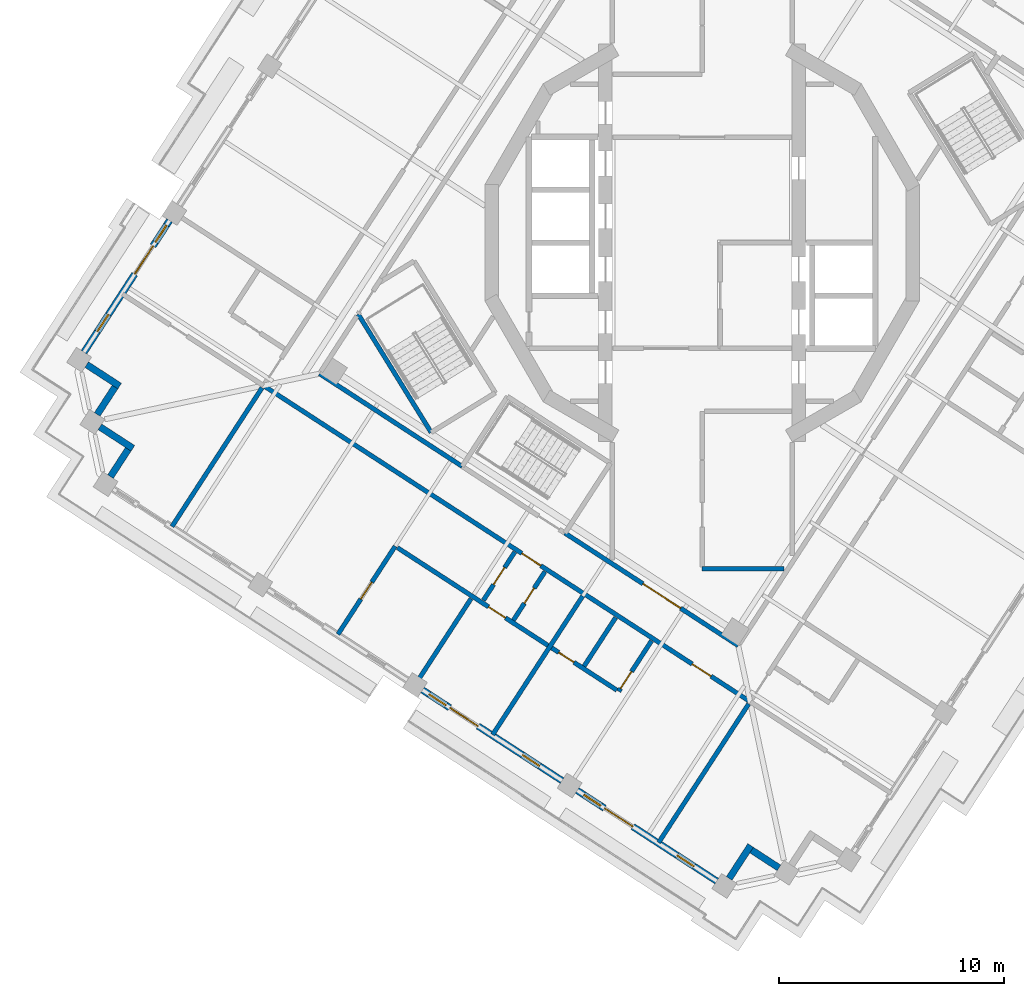
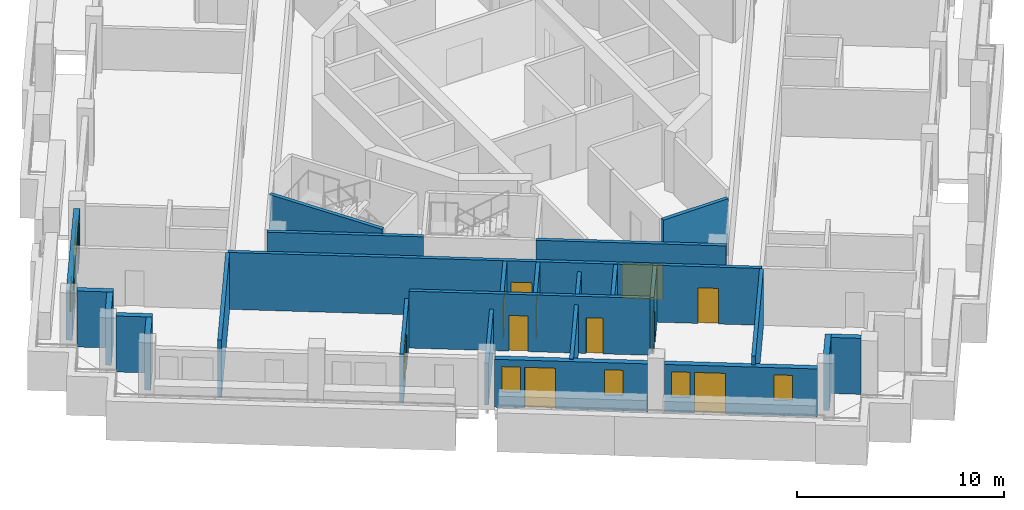
# One storey, part 4 of 15: 24 walls, 12 doors, 6 windows, 18 openings.
"""IFC4 building model written with IfcOpenShell, lengths in metres."""

from ifc_helpers import new_model, si_unit, direction, frame, frame_2d, origin, place, context, subcontext, project, spatial, rectangle, extrude, material, layer, layer_set, type_object, element, fill, save


model = new_model("IFC4")

# Units and contexts
model_context = context("Model", 3, precision=1e-05, world=origin(), true_north=direction((0.0, 1.0)))
body_context = subcontext(model_context, "Body", "Model", "MODEL_VIEW")
ifc_project = project(units=[si_unit("LENGTHUNIT", "METRE"), si_unit("AREAUNIT", "SQUARE_METRE"), si_unit("VOLUMEUNIT", "CUBIC_METRE"), si_unit("PLANEANGLEUNIT", "RADIAN"), si_unit("MASSUNIT", "GRAM", prefix="KILO")], contexts=[model_context])

# Site, building, storey
site_placement = place(None, origin())
site = spatial("IfcSite", under=ifc_project, at=site_placement, CompositionType="ELEMENT")
building_placement = place(site_placement, origin())
building = spatial("IfcBuilding", under=site, at=building_placement, Name="Cantera Rosa Tower", CompositionType="ELEMENT")
storey_placement = place(building_placement, frame((0.0, 0.0, 272.10009765625)))
storey = spatial("IfcBuildingStorey", under=building, at=storey_placement, Name="L61", CompositionType="ELEMENT", Elevation=272.10009765625)

# Wall, openings, doors
ifc_material_1 = material(Name="Gypsum board partition")
ifc_layer_1 = layer(ifc_material_1, 0.199951171875)
ifc_layer_set_1 = layer_set([ifc_layer_1], Name="CORRIDOR WALL 200 H3350")
wall_type_1 = type_object("IfcWallType", Name="CORRIDOR WALL 200 H3350", PredefinedType="PARTITIONING", material=ifc_layer_set_1)
wall_1_placement = place(storey_placement, frame((-19.489013671875, -6.36181640625, 0.0), z_axis=(0.0, 0.0, 1.0), x_axis=(0.838670079337, -0.544639787405, 0.0)))
wall_1 = element("IfcWall", 1, at=wall_1_placement, inside=storey, type_object=wall_type_1, Name="CORRIDOR WALL L61-004", PredefinedType="PARTITIONING", context=body_context, shape_type="SweptSolid", body=[
    extrude(rectangle(XDim=25.780029296875, YDim=0.199951171875, at=frame_2d((12.89013671875, 0.0))), origin(), (0.0, 0.0, 1.0), 3.349853515625),
])
opening_1_placement = place(wall_1_placement, frame((13.679931640625, 0.0, 0.0)))
opening_1 = element("IfcOpeningElement", 2, at=opening_1_placement, cuts=wall_1, Name="Opening L61-032", PredefinedType="OPENING", context=body_context, shape_type="SweptSolid", body=[
    extrude(rectangle(XDim=1.0, YDim=2.10009765625, at=frame_2d((0.5, 1.050048828125))), frame((0.0, 0.10986328125, 0.0), z_axis=(0.0, -1.0, 0.0), x_axis=(1.0, 0.0, 0.0)), (0.0, 0.0, 1.0), 0.219970703125),
])
opening_2_placement = place(wall_1_placement, frame((22.705078125, 0.0, 0.0)))
opening_2 = element("IfcOpeningElement", 3, at=opening_2_placement, cuts=wall_1, Name="Opening L61-037", PredefinedType="OPENING", context=body_context, shape_type="SweptSolid", body=[
    extrude(rectangle(XDim=1.0, YDim=2.10009765625, at=frame_2d((0.5, 1.050048828125))), frame((0.0, 0.10986328125, 0.0), z_axis=(0.0, -1.0, 0.0), x_axis=(1.0, 0.0, 0.0)), (0.0, 0.0, 1.0), 0.219970703125),
])
ifc_material_2 = material(Name="Timber door leaf", Category="wood")
door_type_1 = type_object("IfcDoorType", Name="ENTRANCE DOOR 1000x2100", OperationType="NOTDEFINED", PredefinedType="DOOR", material=ifc_material_2)
door_1_placement = place(opening_1_placement, origin())
door_1 = element("IfcDoor", 4, at=door_1_placement, inside=storey, type_object=door_type_1, Name="DOOR L61-032", OperationType="NOTDEFINED", OverallHeight=2.10009765625, OverallWidth=1.0, PredefinedType="DOOR", context=body_context, shape_type="SweptSolid", body=[
    extrude(rectangle(XDim=1.0, YDim=2.10009765625, at=frame_2d((0.5, 1.050048828125))), frame((0.0, 0.02490234375, 0.0), z_axis=(0.0, -1.0, 0.0), x_axis=(1.0, 0.0, 0.0)), (0.0, 0.0, 1.0), 0.050048828125),
])
fill(opening_1, door_1)
door_2_placement = place(opening_2_placement, origin())
door_2 = element("IfcDoor", 5, at=door_2_placement, inside=storey, type_object=door_type_1, Name="DOOR L61-037", OperationType="NOTDEFINED", OverallHeight=2.10009765625, OverallWidth=1.0, PredefinedType="DOOR", context=body_context, shape_type="SweptSolid", body=[
    extrude(rectangle(XDim=1.0, YDim=2.10009765625, at=frame_2d((0.5, 1.050048828125))), frame((0.0, 0.02490234375, 0.0), z_axis=(0.0, -1.0, 0.0), x_axis=(1.0, 0.0, 0.0)), (0.0, 0.0, 1.0), 0.050048828125),
])
fill(opening_2, door_2)

# Wall
wall_2_placement = place(storey_placement, frame((-17.015869140625, -5.82177734375, 0.0), z_axis=(0.0, 0.0, 1.0), x_axis=(0.838672854678, -0.544635513739, 0.0)))
element("IfcWall", 6, at=wall_2_placement, inside=storey, type_object=wall_type_1, Name="CORRIDOR WALL L61-007", PredefinedType="PARTITIONING", context=body_context, shape_type="SweptSolid", body=[
    extrude(rectangle(XDim=7.56494140625, YDim=0.199951171875, at=frame_2d((3.782470703125, 0.0))), origin(), (0.0, 0.0, 1.0), 3.349853515625),
])

# Wall, opening, door
wall_3_placement = place(storey_placement, frame((-6.1005859375, -12.91015625, 0.0), z_axis=(0.0, 0.0, 1.0), x_axis=(0.838671883824, -0.544637008734, 0.0)))
wall_3 = element("IfcWall", 7, at=wall_3_placement, inside=storey, type_object=wall_type_1, Name="CORRIDOR WALL L61-034", PredefinedType="PARTITIONING", context=body_context, shape_type="SweptSolid", body=[
    extrude(rectangle(XDim=9.184814453125, YDim=0.199951171875, at=frame_2d((4.59228515625, 0.0))), origin(), (0.0, 0.0, 1.0), 3.349853515625),
])
opening_3_placement = place(wall_3_placement, frame((4.135009765625, 0.0, 0.0)))
opening_3 = element("IfcOpeningElement", 8, at=opening_3_placement, cuts=wall_3, Name="Opening L61-010", PredefinedType="OPENING", context=body_context, shape_type="SweptSolid", body=[
    extrude(rectangle(XDim=2.0, YDim=2.10009765625, at=frame_2d((1.0, 1.050048828125))), frame((0.0, 0.10986328125, 0.0), z_axis=(0.0, -1.0, 0.0), x_axis=(1.0, 0.0, 0.0)), (0.0, 0.0, 1.0), 0.219970703125),
])
ifc_material_3 = material(Name="Steel S355J2 (EN 10025-2)", Category="steel")
door_type_2 = type_object("IfcDoorType", Name="LOBBY SCREEN DOOR 2000x2100", OperationType="NOTDEFINED", PredefinedType="DOOR", material=ifc_material_3)
door_3_placement = place(opening_3_placement, origin())
door_3 = element("IfcDoor", 9, at=door_3_placement, inside=storey, type_object=door_type_2, Name="DOOR L61-010", OperationType="NOTDEFINED", OverallHeight=2.10009765625, OverallWidth=2.0, PredefinedType="DOOR", context=body_context, shape_type="SweptSolid", body=[
    extrude(rectangle(XDim=2.0, YDim=2.10009765625, at=frame_2d((1.0, 1.050048828125))), frame((0.0, 0.02490234375, 0.0), z_axis=(0.0, -1.0, 0.0), x_axis=(1.0, 0.0, 0.0)), (0.0, 0.0, 1.0), 0.050048828125),
])
fill(opening_3, door_3)

# Walls
wall_4_placement = place(storey_placement, frame((0.0, -14.5, 0.0), z_axis=(0.0, 0.0, 1.0), x_axis=(1.0, 0.0, 0.0)))
element("IfcWall", 10, at=wall_4_placement, inside=storey, type_object=wall_type_1, Name="CORRIDOR WALL L61-054", PredefinedType="PARTITIONING", context=body_context, shape_type="SweptSolid", body=[
    extrude(rectangle(XDim=3.638916015625, YDim=0.199951171875, at=frame_2d((1.8193359375, 0.0))), origin(), (0.0, 0.0, 1.0), 3.349853515625),
])
ifc_material_4 = material(Name="Hollow clay masonry with cantera stone cladding", Category="masonry")
ifc_layer_2 = layer(ifc_material_4, 0.300048828125)
ifc_layer_set_2 = layer_set([ifc_layer_2], Name="EW-LOGGIA 300")
wall_type_2 = type_object("IfcWallType", Name="EW-LOGGIA 300", PredefinedType="SOLIDWALL", material=ifc_layer_set_2)
wall_5_placement = place(storey_placement, frame((-27.36669921875, -5.41943359375, 0.0), z_axis=(0.0, 0.0, 1.0), x_axis=(0.838685761837, -0.54461563776, 0.0)))
element("IfcWall", 11, at=wall_5_placement, inside=storey, type_object=wall_type_2, Name="EN-L61-W12a", PredefinedType="SOLIDWALL", context=body_context, shape_type="SweptSolid", body=[
    extrude(rectangle(XDim=1.75, YDim=0.300048828125, at=frame_2d((0.875, 0.0))), origin(), (0.0, 0.0, 1.0), 3.2998046875),
])
wall_6_placement = place(storey_placement, frame((-26.1064453125, -6.41650390625, 0.0), z_axis=(0.0, 0.0, 1.0), x_axis=(-0.54467465438, -0.838647435384, 0.0)))
element("IfcWall", 12, at=wall_6_placement, inside=storey, type_object=wall_type_2, Name="EN-L61-W12b", PredefinedType="SOLIDWALL", context=body_context, shape_type="SweptSolid", body=[
    extrude(rectangle(XDim=1.449951171875, YDim=0.300048828125, at=frame_2d((0.72509765625, 0.0))), origin(), (0.0, 0.0, 1.0), 3.2998046875),
])
wall_7_placement = place(storey_placement, frame((-26.778564453125, -8.18603515625, 0.0), z_axis=(0.0, 0.0, 1.0), x_axis=(0.838685761837, -0.54461563776, 0.0)))
element("IfcWall", 13, at=wall_7_placement, inside=storey, type_object=wall_type_2, Name="EN-L61-W13a", PredefinedType="SOLIDWALL", context=body_context, shape_type="SweptSolid", body=[
    extrude(rectangle(XDim=1.75, YDim=0.300048828125, at=frame_2d((0.875, 0.0))), origin(), (0.0, 0.0, 1.0), 3.2998046875),
])
wall_8_placement = place(storey_placement, frame((-25.518310546875, -9.18310546875, 0.0), z_axis=(0.0, 0.0, 1.0), x_axis=(-0.54467465438, -0.838647435384, 0.0)))
element("IfcWall", 14, at=wall_8_placement, inside=storey, type_object=wall_type_2, Name="EN-L61-W13b", PredefinedType="SOLIDWALL", context=body_context, shape_type="SweptSolid", body=[
    extrude(rectangle(XDim=1.449951171875, YDim=0.300048828125, at=frame_2d((0.72509765625, 0.0))), origin(), (0.0, 0.0, 1.0), 3.2998046875),
])
wall_9_placement = place(storey_placement, frame((1.2001953125, -28.263427734375, 0.0), z_axis=(0.0, 0.0, 1.0), x_axis=(0.54461563776, 0.838685761837, 0.0)))
element("IfcWall", 15, at=wall_9_placement, inside=storey, type_object=wall_type_2, Name="EN-L61-W18a", PredefinedType="SOLIDWALL", context=body_context, shape_type="SweptSolid", body=[
    extrude(rectangle(XDim=1.75, YDim=0.300048828125, at=frame_2d((0.875, 0.0))), origin(), (0.0, 0.0, 1.0), 3.2998046875),
])
wall_10_placement = place(storey_placement, frame((2.197509765625, -27.003173828125, 0.0), z_axis=(0.0, 0.0, 1.0), x_axis=(0.838647435384, -0.54467465438, 0.0)))
element("IfcWall", 16, at=wall_10_placement, inside=storey, type_object=wall_type_2, Name="EN-L61-W18b", PredefinedType="SOLIDWALL", context=body_context, shape_type="SweptSolid", body=[
    extrude(rectangle(XDim=1.449951171875, YDim=0.300048828125, at=frame_2d((0.72509765625, 0.0))), origin(), (0.0, 0.0, 1.0), 3.2998046875),
])

# Wall, openings, windows, door
ifc_material_5 = material(Name="Hollow clay masonry with cantera stone cladding", Category="masonry")
ifc_layer_3 = layer(ifc_material_5, 0.300048828125)
ifc_layer_set_3 = layer_set([ifc_layer_3], Name="EW-LOGGIA 300 H2820")
wall_type_3 = type_object("IfcWallType", Name="EW-LOGGIA 300 H2820", PredefinedType="SOLIDWALL", material=ifc_layer_set_3)
wall_11_placement = place(storey_placement, frame((-12.436279296875, -19.884765625, 0.0), z_axis=(0.0, 0.0, 1.0), x_axis=(0.838669679097, -0.544640403719, 0.0)))
wall_11 = element("IfcWall", 17, at=wall_11_placement, inside=storey, type_object=wall_type_3, Name="EN-L61-W16", PredefinedType="SOLIDWALL", context=body_context, shape_type="SweptSolid", body=[
    extrude(rectangle(XDim=7.39990234375, YDim=0.300048828125, at=frame_2d((3.699951171875, 0.0))), origin(), (0.0, 0.0, 1.0), 2.81982421875),
])
opening_4_placement = place(wall_11_placement, frame((0.35009765625, 0.0, 0.89990234375)))
opening_4 = element("IfcOpeningElement", 18, at=opening_4_placement, cuts=wall_11, Name="Opening L61-W28", PredefinedType="OPENING", context=body_context, shape_type="SweptSolid", body=[
    extrude(rectangle(XDim=0.89990234375, YDim=1.5, at=frame_2d((0.449951171875, 0.75))), frame((0.0, 0.159912109375, 0.0), z_axis=(0.0, -1.0, 0.0), x_axis=(1.0, 0.0, 0.0)), (0.0, 0.0, 1.0), 0.320068359375),
])
opening_5_placement = place(wall_11_placement, frame((1.449951171875, 0.0, 0.0)))
opening_5 = element("IfcOpeningElement", 19, at=opening_5_placement, cuts=wall_11, Name="Opening L61-TD29", PredefinedType="OPENING", context=body_context, shape_type="SweptSolid", body=[
    extrude(rectangle(XDim=1.5, YDim=2.39990234375, at=frame_2d((0.75, 1.199951171875))), frame((0.0, 0.159912109375, 0.0), z_axis=(0.0, -1.0, 0.0), x_axis=(1.0, 0.0, 0.0)), (0.0, 0.0, 1.0), 0.320068359375),
])
opening_6_placement = place(wall_11_placement, frame((5.300048828125, 0.0, 0.89990234375)))
opening_6 = element("IfcOpeningElement", 20, at=opening_6_placement, cuts=wall_11, Name="Opening L61-W30", PredefinedType="OPENING", context=body_context, shape_type="SweptSolid", body=[
    extrude(rectangle(XDim=0.89990234375, YDim=1.5, at=frame_2d((0.449951171875, 0.75))), frame((0.0, 0.159912109375, 0.0), z_axis=(0.0, -1.0, 0.0), x_axis=(1.0, 0.0, 0.0)), (0.0, 0.0, 1.0), 0.320068359375),
])
ifc_material_6 = material(Name="Aluminium frame with clear glass", Category="aluminium")
window_type = type_object("IfcWindowType", Name="Residential window 900x1500", PartitioningType="SINGLE_PANEL", PredefinedType="WINDOW", material=ifc_material_6)
window_1_placement = place(opening_4_placement, origin())
window_1 = element("IfcWindow", 21, at=window_1_placement, inside=storey, type_object=window_type, Name="WINDOW L61-W28", OverallHeight=1.5, OverallWidth=0.89990234375, PartitioningType="SINGLE_PANEL", PredefinedType="WINDOW", context=body_context, shape_type="SweptSolid", body=[
    extrude(rectangle(XDim=0.89990234375, YDim=1.5, at=frame_2d((0.449951171875, 0.75))), frame((0.0, 0.030029296875, 0.0), z_axis=(0.0, -1.0, 0.0), x_axis=(1.0, 0.0, 0.0)), (0.0, 0.0, 1.0), 0.06005859375),
])
fill(opening_4, window_1)
window_2_placement = place(opening_6_placement, origin())
window_2 = element("IfcWindow", 22, at=window_2_placement, inside=storey, type_object=window_type, Name="WINDOW L61-W30", OverallHeight=1.5, OverallWidth=0.89990234375, PartitioningType="SINGLE_PANEL", PredefinedType="WINDOW", context=body_context, shape_type="SweptSolid", body=[
    extrude(rectangle(XDim=0.89990234375, YDim=1.5, at=frame_2d((0.449951171875, 0.75))), frame((0.0, 0.030029296875, 0.0), z_axis=(0.0, -1.0, 0.0), x_axis=(1.0, 0.0, 0.0)), (0.0, 0.0, 1.0), 0.06005859375),
])
fill(opening_6, window_2)
ifc_material_7 = material(Name="Aluminium frame with clear glass", Category="aluminium")
door_type_3 = type_object("IfcDoorType", Name="TD-R 1500x2400", OperationType="NOTDEFINED", PredefinedType="DOOR", material=ifc_material_7)
door_4_placement = place(opening_5_placement, origin())
door_4 = element("IfcDoor", 23, at=door_4_placement, inside=storey, type_object=door_type_3, Name="LOGGIA DOOR L61-TD29", OperationType="SLIDING_TO_LEFT", OverallHeight=2.39990234375, OverallWidth=1.5, PredefinedType="DOOR", context=body_context, shape_type="SweptSolid", body=[
    extrude(rectangle(XDim=1.5, YDim=2.39990234375, at=frame_2d((0.75, 1.199951171875))), frame((0.0, 0.02490234375, 0.0), z_axis=(0.0, -1.0, 0.0), x_axis=(1.0, 0.0, 0.0)), (0.0, 0.0, 1.0), 0.050048828125),
])
fill(opening_5, door_4)

wall_12_placement = place(storey_placement, frame((-5.559326171875, -24.350830078125, 0.0), z_axis=(0.0, 0.0, 1.0), x_axis=(0.838679465365, -0.544625333946, 0.0)))
wall_12 = element("IfcWall", 24, at=wall_12_placement, inside=storey, type_object=wall_type_3, Name="EN-L61-W17", PredefinedType="SOLIDWALL", context=body_context, shape_type="SweptSolid", body=[
    extrude(rectangle(XDim=7.400146484375, YDim=0.300048828125, at=frame_2d((3.7001953125, 0.0))), origin(), (0.0, 0.0, 1.0), 2.81982421875),
])
opening_7_placement = place(wall_12_placement, frame((0.35009765625, 0.0, 0.89990234375)))
opening_7 = element("IfcOpeningElement", 25, at=opening_7_placement, cuts=wall_12, Name="Opening L61-W31", PredefinedType="OPENING", context=body_context, shape_type="SweptSolid", body=[
    extrude(rectangle(XDim=0.89990234375, YDim=1.5, at=frame_2d((0.449951171875, 0.75))), frame((0.0, 0.159912109375, 0.0), z_axis=(0.0, -1.0, 0.0), x_axis=(1.0, 0.0, 0.0)), (0.0, 0.0, 1.0), 0.320068359375),
])
opening_8_placement = place(wall_12_placement, frame((1.449951171875, 0.0, 0.0)))
opening_8 = element("IfcOpeningElement", 26, at=opening_8_placement, cuts=wall_12, Name="Opening L61-TD32", PredefinedType="OPENING", context=body_context, shape_type="SweptSolid", body=[
    extrude(rectangle(XDim=1.5, YDim=2.39990234375, at=frame_2d((0.75, 1.199951171875))), frame((0.0, 0.159912109375, 0.0), z_axis=(0.0, -1.0, 0.0), x_axis=(1.0, 0.0, 0.0)), (0.0, 0.0, 1.0), 0.320068359375),
])
opening_9_placement = place(wall_12_placement, frame((5.300048828125, 0.0, 0.89990234375)))
opening_9 = element("IfcOpeningElement", 27, at=opening_9_placement, cuts=wall_12, Name="Opening L61-W33", PredefinedType="OPENING", context=body_context, shape_type="SweptSolid", body=[
    extrude(rectangle(XDim=0.89990234375, YDim=1.5, at=frame_2d((0.449951171875, 0.75))), frame((0.0, 0.159912109375, 0.0), z_axis=(0.0, -1.0, 0.0), x_axis=(1.0, 0.0, 0.0)), (0.0, 0.0, 1.0), 0.320068359375),
])
window_3_placement = place(opening_7_placement, origin())
window_3 = element("IfcWindow", 28, at=window_3_placement, inside=storey, type_object=window_type, Name="WINDOW L61-W31", OverallHeight=1.5, OverallWidth=0.89990234375, PartitioningType="SINGLE_PANEL", PredefinedType="WINDOW", context=body_context, shape_type="SweptSolid", body=[
    extrude(rectangle(XDim=0.89990234375, YDim=1.5, at=frame_2d((0.449951171875, 0.75))), frame((0.0, 0.030029296875, 0.0), z_axis=(0.0, -1.0, 0.0), x_axis=(1.0, 0.0, 0.0)), (0.0, 0.0, 1.0), 0.06005859375),
])
fill(opening_7, window_3)
window_4_placement = place(opening_9_placement, origin())
window_4 = element("IfcWindow", 29, at=window_4_placement, inside=storey, type_object=window_type, Name="WINDOW L61-W33", OverallHeight=1.5, OverallWidth=0.89990234375, PartitioningType="SINGLE_PANEL", PredefinedType="WINDOW", context=body_context, shape_type="SweptSolid", body=[
    extrude(rectangle(XDim=0.89990234375, YDim=1.5, at=frame_2d((0.449951171875, 0.75))), frame((0.0, 0.030029296875, 0.0), z_axis=(0.0, -1.0, 0.0), x_axis=(1.0, 0.0, 0.0)), (0.0, 0.0, 1.0), 0.06005859375),
])
fill(opening_9, window_4)
door_5_placement = place(opening_8_placement, origin())
door_5 = element("IfcDoor", 30, at=door_5_placement, inside=storey, type_object=door_type_3, Name="LOGGIA DOOR L61-TD32", OperationType="SLIDING_TO_LEFT", OverallHeight=2.39990234375, OverallWidth=1.5, PredefinedType="DOOR", context=body_context, shape_type="SweptSolid", body=[
    extrude(rectangle(XDim=1.5, YDim=2.39990234375, at=frame_2d((0.75, 1.199951171875))), frame((0.0, 0.02490234375, 0.0), z_axis=(0.0, -1.0, 0.0), x_axis=(1.0, 0.0, 0.0)), (0.0, 0.0, 1.0), 0.050048828125),
])
fill(opening_8, door_5)

ifc_material_8 = material(Name="Hollow clay masonry with cantera stone cladding", Category="masonry")
ifc_layer_4 = layer(ifc_material_8, 0.300048828125)
ifc_layer_set_4 = layer_set([ifc_layer_4], Name="EW-LOGGIA 300 H2890")
wall_type_4 = type_object("IfcWallType", Name="EW-LOGGIA 300 H2890", PredefinedType="SOLIDWALL", material=ifc_layer_set_4)
wall_13_placement = place(storey_placement, frame((-23.6826171875, 0.98779296875, 0.0), z_axis=(0.0, 0.0, 1.0), x_axis=(-0.544667428764, -0.838652128146, 0.0)))
wall_13 = element("IfcWall", 31, at=wall_13_placement, inside=storey, type_object=wall_type_4, Name="EN-L61-W11", PredefinedType="SOLIDWALL", context=body_context, shape_type="SweptSolid", body=[
    extrude(rectangle(XDim=6.97998046875, YDim=0.300048828125, at=frame_2d((3.489990234375, 0.0))), origin(), (0.0, 0.0, 1.0), 2.889892578125),
])
opening_10_placement = place(wall_13_placement, frame((0.2451171875, 0.0, 0.89990234375)))
opening_10 = element("IfcOpeningElement", 32, at=opening_10_placement, cuts=wall_13, Name="Opening L61-W19", PredefinedType="OPENING", context=body_context, shape_type="SweptSolid", body=[
    extrude(rectangle(XDim=0.89990234375, YDim=1.5, at=frame_2d((0.449951171875, 0.75))), frame((0.0, 0.159912109375, 0.0), z_axis=(0.0, -1.0, 0.0), x_axis=(1.0, 0.0, 0.0)), (0.0, 0.0, 1.0), 0.320068359375),
])
opening_11_placement = place(wall_13_placement, frame((1.344970703125, 0.0, 0.0)))
opening_11 = element("IfcOpeningElement", 33, at=opening_11_placement, cuts=wall_13, Name="Opening L61-TD20", PredefinedType="OPENING", context=body_context, shape_type="SweptSolid", body=[
    extrude(rectangle(XDim=1.5, YDim=2.39990234375, at=frame_2d((0.75, 1.199951171875))), frame((0.0, 0.159912109375, 0.0), z_axis=(0.0, -1.0, 0.0), x_axis=(1.0, 0.0, 0.0)), (0.0, 0.0, 1.0), 0.320068359375),
])
opening_12_placement = place(wall_13_placement, frame((4.985107421875, 0.0, 0.89990234375)))
opening_12 = element("IfcOpeningElement", 34, at=opening_12_placement, cuts=wall_13, Name="Opening L61-W21", PredefinedType="OPENING", context=body_context, shape_type="SweptSolid", body=[
    extrude(rectangle(XDim=0.89990234375, YDim=1.5, at=frame_2d((0.449951171875, 0.75))), frame((0.0, 0.159912109375, 0.0), z_axis=(0.0, -1.0, 0.0), x_axis=(1.0, 0.0, 0.0)), (0.0, 0.0, 1.0), 0.320068359375),
])
window_5_placement = place(opening_10_placement, origin())
window_5 = element("IfcWindow", 35, at=window_5_placement, inside=storey, type_object=window_type, Name="WINDOW L61-W19", OverallHeight=1.5, OverallWidth=0.89990234375, PartitioningType="SINGLE_PANEL", PredefinedType="WINDOW", context=body_context, shape_type="SweptSolid", body=[
    extrude(rectangle(XDim=0.89990234375, YDim=1.5, at=frame_2d((0.449951171875, 0.75))), frame((0.0, 0.030029296875, 0.0), z_axis=(0.0, -1.0, 0.0), x_axis=(1.0, 0.0, 0.0)), (0.0, 0.0, 1.0), 0.06005859375),
])
fill(opening_10, window_5)
window_6_placement = place(opening_12_placement, origin())
window_6 = element("IfcWindow", 36, at=window_6_placement, inside=storey, type_object=window_type, Name="WINDOW L61-W21", OverallHeight=1.5, OverallWidth=0.89990234375, PartitioningType="SINGLE_PANEL", PredefinedType="WINDOW", context=body_context, shape_type="SweptSolid", body=[
    extrude(rectangle(XDim=0.89990234375, YDim=1.5, at=frame_2d((0.449951171875, 0.75))), frame((0.0, 0.030029296875, 0.0), z_axis=(0.0, -1.0, 0.0), x_axis=(1.0, 0.0, 0.0)), (0.0, 0.0, 1.0), 0.06005859375),
])
fill(opening_12, window_6)
door_6_placement = place(opening_11_placement, origin())
door_6 = element("IfcDoor", 37, at=door_6_placement, inside=storey, type_object=door_type_3, Name="LOGGIA DOOR L61-TD20", OperationType="SLIDING_TO_LEFT", OverallHeight=2.39990234375, OverallWidth=1.5, PredefinedType="DOOR", context=body_context, shape_type="SweptSolid", body=[
    extrude(rectangle(XDim=1.5, YDim=2.39990234375, at=frame_2d((0.75, 1.199951171875))), frame((0.0, 0.02490234375, 0.0), z_axis=(0.0, -1.0, 0.0), x_axis=(1.0, 0.0, 0.0)), (0.0, 0.0, 1.0), 0.050048828125),
])
fill(opening_11, door_6)

# Wall
ifc_material_9 = material(Name="Gypsum board partition")
ifc_layer_5 = layer(ifc_material_9, 0.199951171875)
ifc_layer_set_5 = layer_set([ifc_layer_5], Name="PARTITION 200 H2450")
wall_type_5 = type_object("IfcWallType", Name="PARTITION 200 H2450", PredefinedType="PARTITIONING", material=ifc_layer_set_5)
wall_14_placement = place(storey_placement, frame((-12.75537109375, -19.6416015625, 0.0), z_axis=(0.0, 0.0, 1.0), x_axis=(0.544629951314, 0.8386764669, 0.0)))
element("IfcWall", 38, at=wall_14_placement, inside=storey, type_object=wall_type_5, Name="PARTITION L61-013", PredefinedType="PARTITIONING", context=body_context, shape_type="SweptSolid", body=[
    extrude(rectangle(XDim=4.550048828125, YDim=0.199951171875, at=frame_2d((2.27490234375, 0.0))), origin(), (0.0, 0.0, 1.0), 2.449951171875),
])

# Wall, opening, door
ifc_material_10 = material(Name="Gypsum board partition")
ifc_layer_6 = layer(ifc_material_10, 0.199951171875)
ifc_layer_set_6 = layer_set([ifc_layer_6], Name="PARTITION 200 H2850")
wall_type_6 = type_object("IfcWallType", Name="PARTITION 200 H2850", PredefinedType="PARTITIONING", material=ifc_layer_set_6)
wall_15_placement = place(storey_placement, frame((-16.194091796875, -17.40869140625, 0.0), z_axis=(0.0, 0.0, 1.0), x_axis=(0.544683283636, 0.838641830895, 0.0)))
wall_15 = element("IfcWall", 39, at=wall_15_placement, inside=storey, type_object=wall_type_6, Name="PARTITION L61-008", PredefinedType="PARTITIONING", context=body_context, shape_type="SweptSolid", body=[
    extrude(rectangle(XDim=4.670166015625, YDim=0.199951171875, at=frame_2d((2.3349609375, 0.0))), origin(), (0.0, 0.0, 1.0), 2.849853515625),
])
opening_13_placement = place(wall_15_placement, frame((1.8701171875, 0.0, 0.0)))
opening_13 = element("IfcOpeningElement", 40, at=opening_13_placement, cuts=wall_15, Name="Opening L61-036", PredefinedType="OPENING", context=body_context, shape_type="SweptSolid", body=[
    extrude(rectangle(XDim=0.89990234375, YDim=2.10009765625, at=frame_2d((0.449951171875, 1.050048828125))), frame((0.0, 0.10986328125, 0.0), z_axis=(0.0, -1.0, 0.0), x_axis=(1.0, 0.0, 0.0)), (0.0, 0.0, 1.0), 0.219970703125),
])
ifc_material_11 = material(Name="Timber door leaf", Category="wood")
door_type_4 = type_object("IfcDoorType", Name="ROOM DOOR 900x2100", OperationType="NOTDEFINED", PredefinedType="DOOR", material=ifc_material_11)
door_7_placement = place(opening_13_placement, origin())
door_7 = element("IfcDoor", 41, at=door_7_placement, inside=storey, type_object=door_type_4, Name="DOOR L61-036", OperationType="NOTDEFINED", OverallHeight=2.10009765625, OverallWidth=0.89990234375, PredefinedType="DOOR", context=body_context, shape_type="SweptSolid", body=[
    extrude(rectangle(XDim=0.89990234375, YDim=2.10009765625, at=frame_2d((0.449951171875, 1.050048828125))), frame((0.0, 0.02490234375, 0.0), z_axis=(0.0, -1.0, 0.0), x_axis=(1.0, 0.0, 0.0)), (0.0, 0.0, 1.0), 0.050048828125),
])
fill(opening_13, door_7)

# Wall, openings, doors
ifc_material_12 = material(Name="Gypsum board partition")
ifc_layer_7 = layer(ifc_material_12, 0.199951171875)
ifc_layer_set_7 = layer_set([ifc_layer_7], Name="PARTITION 200 H3350")
wall_type_7 = type_object("IfcWallType", Name="PARTITION 200 H3350", PredefinedType="PARTITIONING", material=ifc_layer_set_7)
wall_16_placement = place(storey_placement, frame((-13.5498046875, -13.557373046875, 0.0), z_axis=(0.0, 0.0, 1.0), x_axis=(0.838665608193, -0.544646672288, 0.0)))
wall_16 = element("IfcWall", 42, at=wall_16_placement, inside=storey, type_object=wall_type_7, Name="PARTITION L61-011", PredefinedType="PARTITIONING", context=body_context, shape_type="SweptSolid", body=[
    extrude(rectangle(XDim=11.6298828125, YDim=0.199951171875, at=frame_2d((5.81494140625, 0.0))), origin(), (0.0, 0.0, 1.0), 3.349853515625),
])
opening_14_placement = place(wall_16_placement, frame((4.830078125, 0.0, 0.0)))
opening_14 = element("IfcOpeningElement", 43, at=opening_14_placement, cuts=wall_16, Name="Opening L61-035", PredefinedType="OPENING", context=body_context, shape_type="SweptSolid", body=[
    extrude(rectangle(XDim=0.89990234375, YDim=2.10009765625, at=frame_2d((0.449951171875, 1.050048828125))), frame((0.0, 0.10986328125, 0.0), z_axis=(0.0, -1.0, 0.0), x_axis=(1.0, 0.0, 0.0)), (0.0, 0.0, 1.0), 0.219970703125),
])
opening_15_placement = place(wall_16_placement, frame((8.554931640625, 0.0, 0.0)))
opening_15 = element("IfcOpeningElement", 44, at=opening_15_placement, cuts=wall_16, Name="Opening L61-038", PredefinedType="OPENING", context=body_context, shape_type="SweptSolid", body=[
    extrude(rectangle(XDim=0.800048828125, YDim=2.10009765625, at=frame_2d((0.39990234375, 1.050048828125))), frame((0.0, 0.10986328125, 0.0), z_axis=(0.0, -1.0, 0.0), x_axis=(1.0, 0.0, 0.0)), (0.0, 0.0, 1.0), 0.219970703125),
])
ifc_material_13 = material(Name="Timber door leaf", Category="wood")
door_type_5 = type_object("IfcDoorType", Name="BATHROOM DOOR 800x2100", OperationType="NOTDEFINED", PredefinedType="DOOR", material=ifc_material_13)
door_8_placement = place(opening_15_placement, origin())
door_8 = element("IfcDoor", 45, at=door_8_placement, inside=storey, type_object=door_type_5, Name="DOOR L61-038", OperationType="NOTDEFINED", OverallHeight=2.10009765625, OverallWidth=0.800048828125, PredefinedType="DOOR", context=body_context, shape_type="SweptSolid", body=[
    extrude(rectangle(XDim=0.800048828125, YDim=2.10009765625, at=frame_2d((0.39990234375, 1.050048828125))), frame((0.0, 0.02490234375, 0.0), z_axis=(0.0, -1.0, 0.0), x_axis=(1.0, 0.0, 0.0)), (0.0, 0.0, 1.0), 0.050048828125),
])
fill(opening_15, door_8)
door_9_placement = place(opening_14_placement, origin())
door_9 = element("IfcDoor", 46, at=door_9_placement, inside=storey, type_object=door_type_4, Name="DOOR L61-035", OperationType="NOTDEFINED", OverallHeight=2.10009765625, OverallWidth=0.89990234375, PredefinedType="DOOR", context=body_context, shape_type="SweptSolid", body=[
    extrude(rectangle(XDim=0.89990234375, YDim=2.10009765625, at=frame_2d((0.449951171875, 1.050048828125))), frame((0.0, 0.02490234375, 0.0), z_axis=(0.0, -1.0, 0.0), x_axis=(1.0, 0.0, 0.0)), (0.0, 0.0, 1.0), 0.050048828125),
])
fill(opening_14, door_9)

# Wall, opening, door
wall_17_placement = place(storey_placement, frame((-9.727294921875, -15.896728515625, 0.0), z_axis=(0.0, 0.0, 1.0), x_axis=(0.544646388536, 0.838665792468, 0.0)))
wall_17 = element("IfcWall", 47, at=wall_17_placement, inside=storey, type_object=wall_type_7, Name="PARTITION L61-018", PredefinedType="PARTITIONING", context=body_context, shape_type="SweptSolid", body=[
    extrude(rectangle(XDim=2.56005859375, YDim=0.199951171875, at=frame_2d((1.280029296875, 0.0))), origin(), (0.0, 0.0, 1.0), 3.349853515625),
])
opening_16_placement = place(wall_17_placement, frame((0.830078125, 0.0, 0.0)))
opening_16 = element("IfcOpeningElement", 48, at=opening_16_placement, cuts=wall_17, Name="Opening L61-034", PredefinedType="OPENING", context=body_context, shape_type="SweptSolid", body=[
    extrude(rectangle(XDim=0.89990234375, YDim=2.10009765625, at=frame_2d((0.449951171875, 1.050048828125))), frame((0.0, 0.10986328125, 0.0), z_axis=(0.0, -1.0, 0.0), x_axis=(1.0, 0.0, 0.0)), (0.0, 0.0, 1.0), 0.219970703125),
])
door_10_placement = place(opening_16_placement, origin())
door_10 = element("IfcDoor", 49, at=door_10_placement, inside=storey, type_object=door_type_4, Name="DOOR L61-034", OperationType="NOTDEFINED", OverallHeight=2.10009765625, OverallWidth=0.89990234375, PredefinedType="DOOR", context=body_context, shape_type="SweptSolid", body=[
    extrude(rectangle(XDim=0.89990234375, YDim=2.10009765625, at=frame_2d((0.449951171875, 1.050048828125))), frame((0.0, 0.02490234375, 0.0), z_axis=(0.0, -1.0, 0.0), x_axis=(1.0, 0.0, 0.0)), (0.0, 0.0, 1.0), 0.050048828125),
])
fill(opening_16, door_10)

wall_18_placement = place(storey_placement, frame((-8.396240234375, -16.784912109375, 0.0), z_axis=(0.0, 0.0, 1.0), x_axis=(0.544592476005, 0.838700801883, 0.0)))
wall_18 = element("IfcWall", 50, at=wall_18_placement, inside=storey, type_object=wall_type_7, Name="PARTITION L61-025", PredefinedType="PARTITIONING", context=body_context, shape_type="SweptSolid", body=[
    extrude(rectangle(XDim=2.580078125, YDim=0.199951171875, at=frame_2d((1.2900390625, 0.0))), origin(), (0.0, 0.0, 1.0), 3.349853515625),
])
opening_17_placement = place(wall_18_placement, frame((0.89990234375, 0.0, 0.0)))
opening_17 = element("IfcOpeningElement", 51, at=opening_17_placement, cuts=wall_18, Name="Opening L61-033", PredefinedType="OPENING", context=body_context, shape_type="SweptSolid", body=[
    extrude(rectangle(XDim=0.800048828125, YDim=2.10009765625, at=frame_2d((0.39990234375, 1.050048828125))), frame((0.0, 0.10986328125, 0.0), z_axis=(0.0, -1.0, 0.0), x_axis=(1.0, 0.0, 0.0)), (0.0, 0.0, 1.0), 0.219970703125),
])
door_11_placement = place(opening_17_placement, origin())
door_11 = element("IfcDoor", 52, at=door_11_placement, inside=storey, type_object=door_type_5, Name="DOOR L61-033", OperationType="NOTDEFINED", OverallHeight=2.10009765625, OverallWidth=0.800048828125, PredefinedType="DOOR", context=body_context, shape_type="SweptSolid", body=[
    extrude(rectangle(XDim=0.800048828125, YDim=2.10009765625, at=frame_2d((0.39990234375, 1.050048828125))), frame((0.0, 0.02490234375, 0.0), z_axis=(0.0, -1.0, 0.0), x_axis=(1.0, 0.0, 0.0)), (0.0, 0.0, 1.0), 0.050048828125),
])
fill(opening_17, door_11)

# Wall
wall_19_placement = place(storey_placement, frame((-3.84619140625, -16.66357421875, 0.0), z_axis=(0.0, 0.0, 1.0), x_axis=(-0.544592476005, -0.838700801883, 0.0)))
element("IfcWall", 53, at=wall_19_placement, inside=storey, type_object=wall_type_7, Name="PARTITION L61-047", PredefinedType="PARTITIONING", context=body_context, shape_type="SweptSolid", body=[
    extrude(rectangle(XDim=2.580078125, YDim=0.199951171875, at=frame_2d((1.2900390625, 0.0))), origin(), (0.0, 0.0, 1.0), 3.349853515625),
])

# Wall, opening, door
wall_20_placement = place(storey_placement, frame((-2.252685546875, -17.698486328125, 0.0), z_axis=(0.0, 0.0, 1.0), x_axis=(-0.544674512884, -0.838647527281, 0.0)))
wall_20 = element("IfcWall", 54, at=wall_20_placement, inside=storey, type_object=wall_type_7, Name="PARTITION L61-048", PredefinedType="PARTITIONING", context=body_context, shape_type="SweptSolid", body=[
    extrude(rectangle(XDim=2.679931640625, YDim=0.199951171875, at=frame_2d((1.33984375, 0.0))), origin(), (0.0, 0.0, 1.0), 3.349853515625),
])
opening_18_placement = place(wall_20_placement, frame((1.6298828125, 0.0, 0.0)))
opening_18 = element("IfcOpeningElement", 55, at=opening_18_placement, cuts=wall_20, Name="Opening L61-039", PredefinedType="OPENING", context=body_context, shape_type="SweptSolid", body=[
    extrude(rectangle(XDim=0.89990234375, YDim=2.10009765625, at=frame_2d((0.449951171875, 1.050048828125))), frame((0.0, 0.10986328125, 0.0), z_axis=(0.0, -1.0, 0.0), x_axis=(1.0, 0.0, 0.0)), (0.0, 0.0, 1.0), 0.219970703125),
])
door_12_placement = place(opening_18_placement, origin())
door_12 = element("IfcDoor", 56, at=door_12_placement, inside=storey, type_object=door_type_4, Name="DOOR L61-039", OperationType="NOTDEFINED", OverallHeight=2.10009765625, OverallWidth=0.89990234375, PredefinedType="DOOR", context=body_context, shape_type="SweptSolid", body=[
    extrude(rectangle(XDim=0.89990234375, YDim=2.10009765625, at=frame_2d((0.449951171875, 1.050048828125))), frame((0.0, 0.02490234375, 0.0), z_axis=(0.0, -1.0, 0.0), x_axis=(1.0, 0.0, 0.0)), (0.0, 0.0, 1.0), 0.050048828125),
])
fill(opening_18, door_12)

# Walls
ifc_material_14 = material(Name="Gypsum board partition")
ifc_layer_8 = layer(ifc_material_14, 0.199951171875)
ifc_layer_set_8 = layer_set([ifc_layer_8], Name="PARTY WALL 200 H2850")
wall_type_8 = type_object("IfcWallType", Name="PARTY WALL 200 H2850", PredefinedType="PARTITIONING", material=ifc_layer_set_8)
wall_21_placement = place(storey_placement, frame((-5.313720703125, -15.71044921875, 0.0), z_axis=(0.0, 0.0, 1.0), x_axis=(-0.544641550729, -0.838668934217, 0.0)))
element("IfcWall", 57, at=wall_21_placement, inside=storey, type_object=wall_type_8, Name="PARTY WALL L61-038", PredefinedType="PARTITIONING", context=body_context, shape_type="SweptSolid", body=[
    extrude(rectangle(XDim=7.35009765625, YDim=0.199951171875, at=frame_2d((3.675048828125, 0.0))), origin(), (0.0, 0.0, 1.0), 2.849853515625),
])
ifc_material_15 = material(Name="Gypsum board partition")
ifc_layer_9 = layer(ifc_material_15, 0.199951171875)
ifc_layer_set_9 = layer_set([ifc_layer_9], Name="PARTY WALL 200 H3350")
wall_type_9 = type_object("IfcWallType", Name="PARTY WALL 200 H3350", PredefinedType="PARTITIONING", material=ifc_layer_set_9)
for number, where, z_axis, x_axis, name in (
    (58, (-19.5712890625, -6.45166015625, 0.0), (0.0, 0.0, 1.0), (-0.544633359557, -0.838674253604, 0.0), "PARTY WALL L61-003"),
    (59, (-1.9365234375, -26.66748046875, 0.0), (0.0, 0.0, 1.0), (0.544633359557, 0.838674253604, 0.0), "PARTY WALL L61-052"),
):
    element("IfcWall", number, at=place(storey_placement, frame(where, z_axis=z_axis, x_axis=x_axis)), inside=storey, type_object=wall_type_9, Name=name, PredefinedType="PARTITIONING", context=body_context, shape_type="SweptSolid", body=[
        extrude(rectangle(XDim=7.349853515625, YDim=0.199951171875, at=frame_2d((3.6748046875, 0.0))), origin(), (0.0, 0.0, 1.0), 3.349853515625),
    ])
ifc_material_16 = material(Name="Concrete C50/60", Category="concrete")
ifc_layer_10 = layer(ifc_material_16, 0.199951171875)
ifc_layer_set_10 = layer_set([ifc_layer_10], Name="STAIR WALL 200 H3350")
wall_type_10 = type_object("IfcWallType", Name="STAIR WALL 200 H3350", PredefinedType="SOLIDWALL", material=ifc_layer_set_10)
wall_22_placement = place(storey_placement, frame((-12.05078125, -8.4326171875, 0.0), z_axis=(0.0, 0.0, 1.0), x_axis=(-0.524983142341, 0.851112624896, 0.0)))
element("IfcWall", 60, at=wall_22_placement, inside=storey, type_object=wall_type_10, Name="STAIR WALL L61-014", PredefinedType="SOLIDWALL", context=body_context, shape_type="SweptSolid", body=[
    extrude(rectangle(XDim=6.180419921875, YDim=0.199951171875, at=frame_2d((3.09033203125, 0.0))), origin(), (0.0, 0.0, 1.0), 3.349853515625),
])

save(model, "model.ifc")
